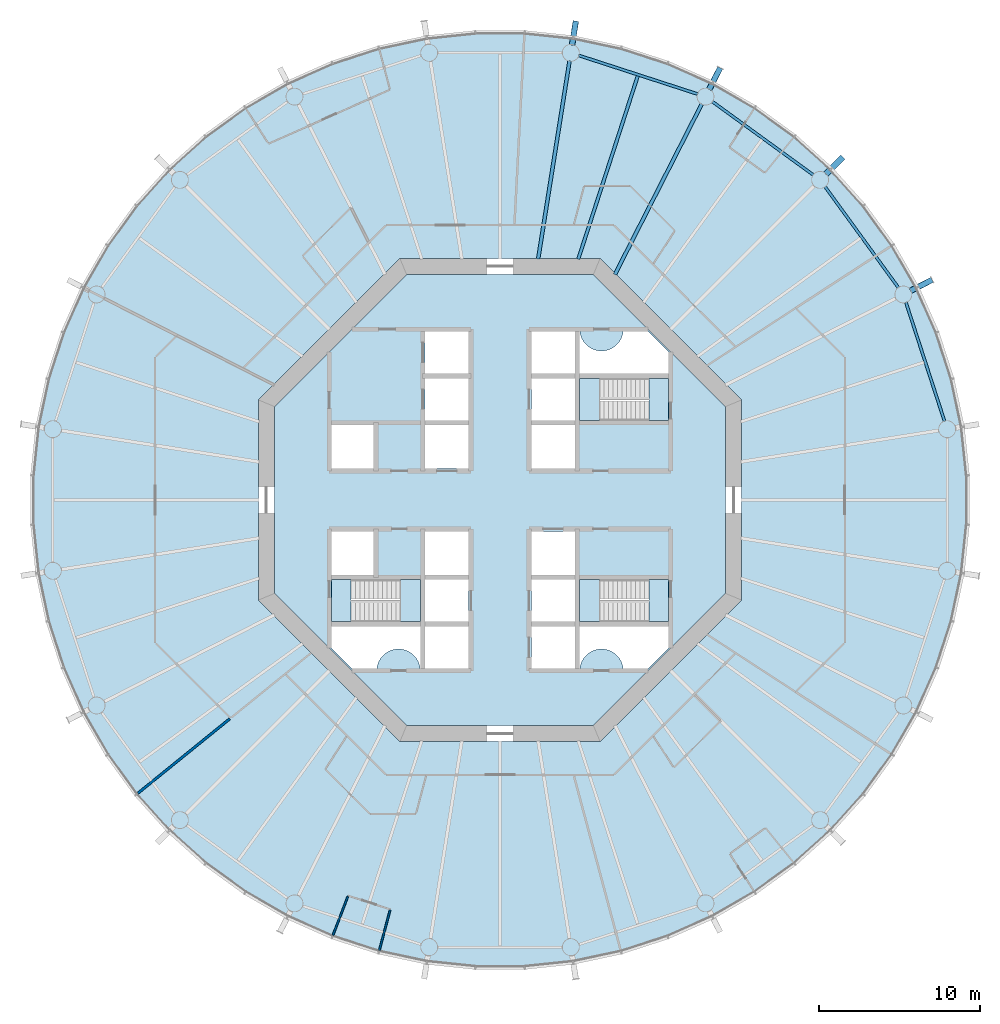
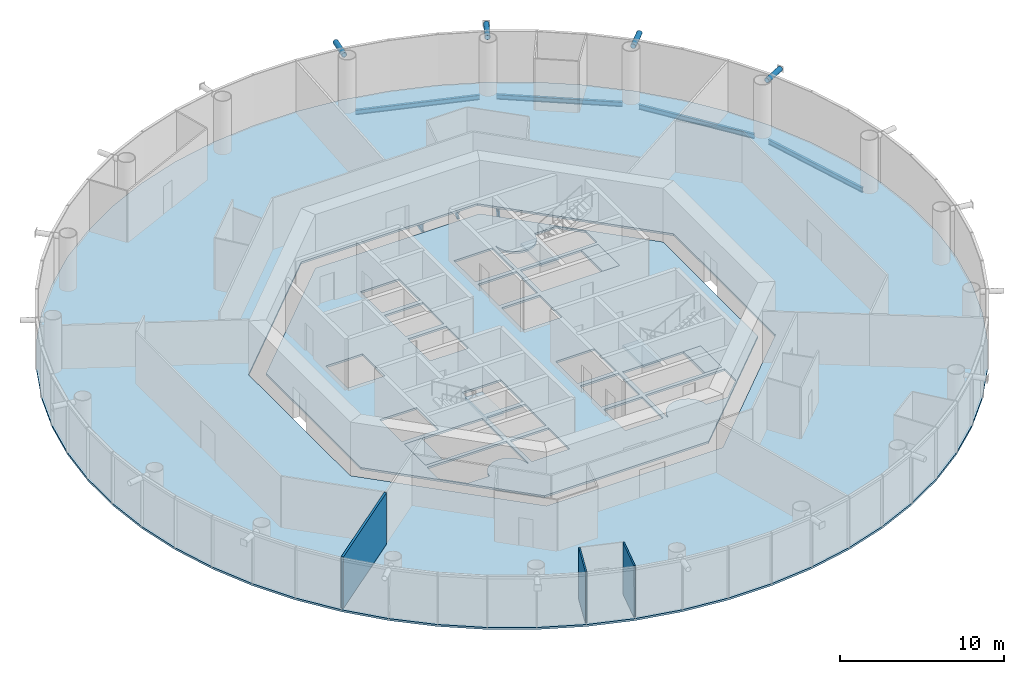
# One storey, part 2 of 17: 8 slabs, 7 beams, 4 members, 3 walls, 3 elements without a shape of their own.
"""IFC4 building model written with IfcOpenShell, lengths in metres."""

from ifc_helpers import new_model, si_unit, direction, frame, frame_2d, origin, origin_2d, place, context, subcontext, project, spatial, polyline, rectangle, circle, hollow_circle, i_section, outline, extrude, material, layer, layer_set, material_profile, profile_set, type_object, element, aggregate, save


model = new_model("IFC4")

# Units and contexts
model_context = context("Model", 3, precision=1e-05, world=origin(), true_north=direction((0.0, 1.0)))
body_context = subcontext(model_context, "Body", "Model", "MODEL_VIEW")
ifc_project = project(units=[si_unit("LENGTHUNIT", "METRE"), si_unit("AREAUNIT", "SQUARE_METRE"), si_unit("VOLUMEUNIT", "CUBIC_METRE"), si_unit("PLANEANGLEUNIT", "RADIAN"), si_unit("MASSUNIT", "GRAM", prefix="KILO")], contexts=[model_context])

# Site, building, storey
site_placement = place(None, origin())
site = spatial("IfcSite", under=ifc_project, at=site_placement, CompositionType="ELEMENT")
building_placement = place(site_placement, origin())
building = spatial("IfcBuilding", under=site, at=building_placement, Name="Entoto Ring Tower", CompositionType="ELEMENT")
storey_placement = place(building_placement, frame((0.0, 0.0, 176.0)))
storey = spatial("IfcBuildingStorey", under=building, at=storey_placement, Name="L40", CompositionType="ELEMENT", Elevation=176.0)

# Members
ifc_material_1 = material(Name="Steel S355", Category="steel")
ifc_material_profile_1 = material_profile(ifc_material_1, hollow_circle(Radius=0.177734375, WallThickness=0.01611328125, at=origin_2d()), Name="CHS 355.6 x 16")
ifc_material_2 = material(Name="Concrete C60/75", Category="concrete")
ifc_material_profile_2 = material_profile(ifc_material_2, circle(Radius=0.161865234375, at=origin_2d()), Name="Concrete C60/75 infill")
ifc_profile_set_1 = profile_set([ifc_material_profile_1, ifc_material_profile_2], Name="Steel S355")
member_type = type_object("IfcMemberType", Name="Diagrid node strut 355.6 x 16", PredefinedType="STRUT", material=ifc_profile_set_1)
for number, where, z_axis, x_axis, name in (
    (1, (115.483154296875, 92.984375, 3.672119140625), (0.891048193901, 0.453908709044, 0.0), (-0.453908709044, 0.891048193901, 0.0), "DS1 strut ring 12 02"),
    (2, (110.2236328125, 100.2236328125, 3.672119140625), (0.707106781187, 0.707106781187, 0.0), (-0.707106781187, 0.707106781187, 0.0), "DS1 strut ring 12 03"),
    (3, (102.984375, 105.483154296875, 3.672119140625), (0.453908709044, 0.891048193901, 0.0), (-0.891048193901, 0.453908709044, 0.0), "DS1 strut ring 12 04"),
):
    element("IfcMember", number, at=place(storey_placement, frame(where, z_axis=z_axis, x_axis=x_axis)), inside=storey, type_object=member_type, Name=name, PredefinedType="STRUT", context=body_context, shape_type="SweptSolid", body=[
        extrude(hollow_circle(Radius=0.177734375, WallThickness=0.01611328125, at=origin_2d()), origin(), (0.0, 0.0, 1.0), 1.49951171875),
    ])
member_placement = place(storey_placement, frame((94.47412109375, 108.248291015625, 3.672119140625), z_axis=(0.15644742422, 0.987686287976, 0.0), x_axis=(-0.987686287976, 0.15644742422, 0.0)))
element("IfcMember", 4, at=member_placement, inside=storey, type_object=member_type, Name="DS1 strut ring 12 05", PredefinedType="STRUT", context=body_context, shape_type="SweptSolid", body=[
    extrude(hollow_circle(Radius=0.177734375, WallThickness=0.01611328125, at=origin_2d()), origin(), (0.0, 0.0, 1.0), 1.499755859375),
])

# Beams
ifc_material_3 = material(Name="Steel S355", Category="steel")
ifc_material_profile_3 = material_profile(ifc_material_3, i_section(OverallWidth=0.169921875, OverallDepth=0.360107421875, WebThickness=0.008056640625, FlangeThickness=0.0126953125, FilletRadius=0.01806640625, at=origin_2d()), Name="IPE 360")
ifc_profile_set_2 = profile_set([ifc_material_profile_3], Name="Steel S355")
beam_type_1 = type_object("IfcBeamType", Name="Edge beam IPE 360", PredefinedType="SPANDREL", material=ifc_profile_set_2)
for number, where, z_axis, x_axis, name in (
    (5, (117.59228515625, 84.8935546875, -0.330078125), (-0.309012656105, 0.951057925874, 0.0), (-0.951057925874, -0.309012656105, 0.0), "Edge beam L40 01"),
    (6, (114.729736328125, 93.180419921875, -0.330078125), (-0.587791153253, 0.809012707043, 0.0), (-0.809012707043, -0.587791153253, 0.0), "Edge beam L40 02"),
    (7, (109.4462890625, 100.17724609375, -0.330078125), (-0.809012707043, 0.587791153253, 0.0), (-0.587791153253, -0.809012707043, 0.0), "Edge beam L40 03"),
    (8, (102.259521484375, 105.198974609375, -0.330078125), (-0.951057925874, 0.309012656105, 0.0), (-0.309012656105, -0.951057925874, 0.0), "Edge beam L40 04"),
):
    element("IfcBeam", number, at=place(storey_placement, frame(where, z_axis=z_axis, x_axis=x_axis)), inside=storey, type_object=beam_type_1, Name=name, PredefinedType="SPANDREL", context=body_context, shape_type="SweptSolid", body=[
        extrude(i_section(OverallWidth=0.169921875, OverallDepth=0.360107421875, WebThickness=0.008056640625, FlangeThickness=0.0126953125, FilletRadius=0.01806640625, at=origin_2d()), origin(), (0.0, 0.0, 1.0), 7.7451171875),
    ])
ifc_material_4 = material(Name="Steel S355", Category="steel")
ifc_material_profile_4 = material_profile(ifc_material_4, i_section(OverallWidth=0.219970703125, OverallDepth=0.60009765625, WebThickness=0.011962890625, FlangeThickness=0.01904296875, FilletRadius=0.02392578125, at=origin_2d()), Name="IPE 600")
ifc_profile_set_3 = profile_set([ifc_material_profile_4], Name="Steel S355")
beam_type_2 = type_object("IfcBeamType", Name="Primary floor beam IPE 600", PredefinedType="BEAM", material=ifc_profile_set_3)
beam_1_placement = place(storey_placement, frame((97.135009765625, 94.003173828125, -0.449951171875), z_axis=(0.453982805399, 0.891010444609, 0.0), x_axis=(-0.891010444609, 0.453982805399, 0.0)))
element("IfcBeam", 9, at=beam_1_placement, inside=storey, type_object=beam_type_2, Name="Primary L40 R04", PredefinedType="BEAM", context=body_context, shape_type="SweptSolid", body=[
    extrude(i_section(OverallWidth=0.219970703125, OverallDepth=0.60009765625, WebThickness=0.011962890625, FlangeThickness=0.01904296875, FilletRadius=0.02392578125, at=origin_2d()), origin(), (0.0, 0.0, 1.0), 11.864990234375),
])
beam_2_placement = place(storey_placement, frame((92.369873046875, 94.963134765625, -0.449951171875), z_axis=(0.156441579247, 0.987687213789, 0.0), x_axis=(-0.987687213789, 0.156441579247, 0.0)))
element("IfcBeam", 10, at=beam_2_placement, inside=storey, type_object=beam_type_2, Name="Primary L40 R05", PredefinedType="BEAM", context=body_context, shape_type="SweptSolid", body=[
    extrude(i_section(OverallWidth=0.219970703125, OverallDepth=0.60009765625, WebThickness=0.011962890625, FlangeThickness=0.01904296875, FilletRadius=0.02392578125, at=origin_2d()), origin(), (0.0, 0.0, 1.0), 12.431640625),
])
ifc_material_5 = material(Name="Steel S355", Category="steel")
ifc_material_profile_5 = material_profile(ifc_material_5, i_section(OverallWidth=0.199951171875, OverallDepth=0.5, WebThickness=0.01025390625, FlangeThickness=0.01611328125, FilletRadius=0.02099609375, at=origin_2d()), Name="IPE 500")
ifc_profile_set_4 = profile_set([ifc_material_profile_5], Name="Steel S355")
beam_type_3 = type_object("IfcBeamType", Name="Secondary floor beam IPE 500", PredefinedType="JOIST", material=ifc_profile_set_4)
beam_3_placement = place(storey_placement, frame((94.857666015625, 94.9501953125, -0.39990234375), z_axis=(0.30901677521, 0.951056587506, 0.0), x_axis=(-0.951056587506, 0.30901677521, 0.0)))
element("IfcBeam", 11, at=beam_3_placement, inside=storey, type_object=beam_type_3, Name="Secondary beam L40 04", PredefinedType="JOIST", context=body_context, shape_type="SweptSolid", body=[
    extrude(i_section(OverallWidth=0.199951171875, OverallDepth=0.5, WebThickness=0.01025390625, FlangeThickness=0.01611328125, FilletRadius=0.02099609375, at=origin_2d()), origin(), (0.0, 0.0, 1.0), 11.94970703125),
])

# Slabs
ifc_material_6 = material(Name="Concrete C30/37", Category="concrete")
ifc_layer_1 = layer(ifc_material_6, 0.14990234375)
ifc_layer_set_1 = layer_set([ifc_layer_1], Name="Concrete C30/37")
slab_type_1 = type_object("IfcSlabType", Name="Composite floor slab 150 mm", PredefinedType="FLOOR", material=ifc_layer_set_1)
slab_1_placement = place(storey_placement, frame((0.0, 0.0, -0.14990234375)))
element("IfcSlab", 12, at=slab_1_placement, inside=storey, type_object=slab_type_1, Name="Floor slab L40", PredefinedType="FLOOR", context=body_context, shape_type="SweptSolid", body=[
    extrude(outline(polyline([(118.74169921875, 84.55224609375), (118.1083984375, 87.53173828125), (117.167236328125, 90.428466796875), (115.92822265625, 93.211181640625), (114.4052734375, 95.848876953125), (112.614990234375, 98.313232421875), (110.576904296875, 100.576904296875), (108.313232421875, 102.614990234375), (105.848876953125, 104.4052734375), (103.211181640625, 105.92822265625), (100.428466796875, 107.167236328125), (97.53173828125, 108.1083984375), (94.55224609375, 108.74169921875), (91.52294921875, 109.06005859375), (88.47705078125, 109.06005859375), (85.44775390625, 108.74169921875), (82.46826171875, 108.1083984375), (79.571533203125, 107.167236328125), (76.788818359375, 105.92822265625), (74.151123046875, 104.4052734375), (71.686767578125, 102.614990234375), (69.423095703125, 100.576904296875), (67.385009765625, 98.313232421875), (65.5947265625, 95.848876953125), (64.07177734375, 93.211181640625), (62.832763671875, 90.428466796875), (61.8916015625, 87.53173828125), (61.25830078125, 84.55224609375), (60.93994140625, 81.52294921875), (60.93994140625, 78.47705078125), (61.25830078125, 75.44775390625), (61.8916015625, 72.46826171875), (62.832763671875, 69.571533203125), (64.07177734375, 66.788818359375), (65.5947265625, 64.151123046875), (67.385009765625, 61.686767578125), (69.423095703125, 59.423095703125), (71.686767578125, 57.385009765625), (74.151123046875, 55.5947265625), (76.788818359375, 54.07177734375), (79.571533203125, 52.832763671875), (82.46826171875, 51.8916015625), (85.44775390625, 51.25830078125), (88.47705078125, 50.93994140625), (91.52294921875, 50.93994140625), (94.55224609375, 51.25830078125), (97.53173828125, 51.8916015625), (100.428466796875, 52.832763671875), (103.211181640625, 54.07177734375), (105.848876953125, 55.5947265625), (108.313232421875, 57.385009765625), (110.576904296875, 59.423095703125), (112.614990234375, 61.686767578125), (114.4052734375, 64.151123046875), (115.92822265625, 66.788818359375), (117.167236328125, 69.571533203125), (118.1083984375, 72.46826171875), (118.74169921875, 75.44775390625), (119.06005859375, 78.47705078125), (119.06005859375, 81.52294921875), (118.74169921875, 84.55224609375)]), holes=[polyline([(105.0, 73.786865234375), (105.0, 86.213134765625), (96.213134765625, 95.0), (83.786865234375, 95.0), (75.0, 86.213134765625), (75.0, 73.786865234375), (83.786865234375, 65.0), (96.213134765625, 65.0), (105.0, 73.786865234375)])]), origin(), (0.0, 0.0, 1.0), 0.14990234375),
])
ifc_material_7 = material(Name="Concrete C40/50", Category="concrete")
ifc_layer_2 = layer(ifc_material_7, 0.14990234375)
ifc_layer_set_2 = layer_set([ifc_layer_2], Name="Concrete C40/50")
slab_type_2 = type_object("IfcSlabType", Name="Core floor slab 150 mm reinforced concrete C40/50", PredefinedType="FLOOR", material=ifc_layer_set_2)
slab_2_placement = place(storey_placement, frame((0.0, 0.0, -0.14990234375)))
element("IfcSlab", 13, at=slab_2_placement, inside=storey, type_object=slab_type_2, Name="Core floor L40", PredefinedType="FLOOR", context=body_context, shape_type="SweptSolid", body=[
    extrude(outline(polyline([(104.0, 74.200927734375), (104.0, 85.799072265625), (95.799072265625, 94.0), (84.200927734375, 94.0), (76.0, 85.799072265625), (76.0, 74.200927734375), (84.200927734375, 66.0), (95.799072265625, 66.0), (104.0, 74.200927734375)]), holes=[polyline([(100.449951171875, 84.949951171875), (100.449951171875, 87.550048828125), (94.949951171875, 87.550048828125), (94.949951171875, 84.949951171875), (100.449951171875, 84.949951171875)]), polyline([(85.050048828125, 72.449951171875), (85.050048828125, 75.050048828125), (79.550048828125, 75.050048828125), (79.550048828125, 72.449951171875), (85.050048828125, 72.449951171875)]), polyline([(100.449951171875, 72.449951171875), (100.449951171875, 75.050048828125), (94.949951171875, 75.050048828125), (94.949951171875, 72.449951171875), (100.449951171875, 72.449951171875)]), polyline([(91.949951171875, 84.949951171875), (94.64990234375, 84.949951171875), (94.64990234375, 87.550048828125), (91.949951171875, 87.550048828125), (91.949951171875, 84.949951171875)]), polyline([(91.949951171875, 72.449951171875), (94.64990234375, 72.449951171875), (94.64990234375, 75.050048828125), (91.949951171875, 75.050048828125), (91.949951171875, 72.449951171875)]), polyline([(91.949951171875, 69.550048828125), (94.64990234375, 69.550048828125), (94.64990234375, 72.14990234375), (91.949951171875, 72.14990234375), (91.949951171875, 69.550048828125)]), polyline([(85.35009765625, 72.449951171875), (88.050048828125, 72.449951171875), (88.050048828125, 75.050048828125), (85.35009765625, 75.050048828125), (85.35009765625, 72.449951171875)]), polyline([(85.35009765625, 81.949951171875), (88.050048828125, 81.949951171875), (88.050048828125, 84.64990234375), (85.35009765625, 84.64990234375), (85.35009765625, 81.949951171875)]), polyline([(91.949951171875, 75.35009765625), (94.64990234375, 75.35009765625), (94.64990234375, 78.050048828125), (91.949951171875, 78.050048828125), (91.949951171875, 75.35009765625)]), polyline([(79.550048828125, 81.949951171875), (82.14990234375, 81.949951171875), (82.14990234375, 84.64990234375), (79.550048828125, 84.64990234375), (79.550048828125, 81.949951171875)]), polyline([(79.550048828125, 75.35009765625), (82.14990234375, 75.35009765625), (82.14990234375, 78.050048828125), (79.550048828125, 78.050048828125), (79.550048828125, 75.35009765625)]), polyline([(91.949951171875, 87.85009765625), (94.64990234375, 87.85009765625), (94.64990234375, 90.449951171875), (91.949951171875, 90.449951171875), (91.949951171875, 87.85009765625)]), polyline([(85.35009765625, 69.550048828125), (88.050048828125, 69.550048828125), (88.050048828125, 72.14990234375), (85.35009765625, 72.14990234375), (85.35009765625, 69.550048828125)]), polyline([(91.949951171875, 81.949951171875), (94.64990234375, 81.949951171875), (94.64990234375, 84.64990234375), (91.949951171875, 84.64990234375), (91.949951171875, 81.949951171875)]), polyline([(85.35009765625, 75.35009765625), (88.050048828125, 75.35009765625), (88.050048828125, 78.050048828125), (85.35009765625, 78.050048828125), (85.35009765625, 75.35009765625)]), polyline([(85.35009765625, 84.949951171875), (88.050048828125, 84.949951171875), (88.050048828125, 87.550048828125), (85.35009765625, 87.550048828125), (85.35009765625, 84.949951171875)]), polyline([(85.35009765625, 87.85009765625), (88.050048828125, 87.85009765625), (88.050048828125, 90.449951171875), (85.35009765625, 90.449951171875), (85.35009765625, 87.85009765625)]), polyline([(94.89990234375, 90.5), (94.89990234375, 87.800048828125), (100.5, 87.800048828125), (100.5, 89.15771484375), (99.15771484375, 90.5), (97.64501953125, 90.5), (97.6435546875, 90.4677734375), (97.6240234375, 90.336669921875), (97.591796875, 90.2080078125), (97.547119140625, 90.08349609375), (97.490478515625, 89.963623046875), (97.422607421875, 89.85009765625), (97.343505859375, 89.74365234375), (97.254638671875, 89.6455078125), (97.156494140625, 89.556396484375), (97.050048828125, 89.4775390625), (96.936279296875, 89.409423828125), (96.816650390625, 89.352783203125), (96.69189453125, 89.30810546875), (96.5634765625, 89.27587890625), (96.432373046875, 89.256591796875), (96.300048828125, 89.25), (96.167724609375, 89.256591796875), (96.03662109375, 89.27587890625), (95.908203125, 89.30810546875), (95.783447265625, 89.352783203125), (95.66357421875, 89.409423828125), (95.550048828125, 89.4775390625), (95.443603515625, 89.556396484375), (95.345458984375, 89.6455078125), (95.25634765625, 89.74365234375), (95.177490234375, 89.85009765625), (95.109375, 89.963623046875), (95.052734375, 90.08349609375), (95.008056640625, 90.2080078125), (94.975830078125, 90.336669921875), (94.95654296875, 90.4677734375), (94.954833984375, 90.5), (94.89990234375, 90.5)]), polyline([(79.5, 70.84228515625), (80.84228515625, 69.5), (82.35498046875, 69.5), (82.3564453125, 69.5322265625), (82.3759765625, 69.663330078125), (82.408203125, 69.7919921875), (82.452880859375, 69.91650390625), (82.509521484375, 70.036376953125), (82.577392578125, 70.14990234375), (82.656494140625, 70.25634765625), (82.745361328125, 70.3544921875), (82.843505859375, 70.443603515625), (82.949951171875, 70.5224609375), (83.063720703125, 70.590576171875), (83.183349609375, 70.647216796875), (83.30810546875, 70.69189453125), (83.4365234375, 70.72412109375), (83.567626953125, 70.743408203125), (83.699951171875, 70.75), (83.832275390625, 70.743408203125), (83.96337890625, 70.72412109375), (84.091796875, 70.69189453125), (84.216552734375, 70.647216796875), (84.33642578125, 70.590576171875), (84.449951171875, 70.5224609375), (84.556396484375, 70.443603515625), (84.654541015625, 70.3544921875), (84.74365234375, 70.25634765625), (84.822509765625, 70.14990234375), (84.890625, 70.036376953125), (84.947265625, 69.91650390625), (84.991943359375, 69.7919921875), (85.024169921875, 69.663330078125), (85.04345703125, 69.5322265625), (85.045166015625, 69.5), (85.10009765625, 69.5), (85.10009765625, 72.199951171875), (79.5, 72.199951171875), (79.5, 70.84228515625)]), polyline([(97.64501953125, 69.5), (99.15771484375, 69.5), (100.5, 70.84228515625), (100.5, 72.199951171875), (94.89990234375, 72.199951171875), (94.89990234375, 69.5), (94.954833984375, 69.5), (94.95654296875, 69.5322265625), (94.975830078125, 69.663330078125), (95.008056640625, 69.7919921875), (95.052734375, 69.91650390625), (95.109375, 70.036376953125), (95.177490234375, 70.14990234375), (95.25634765625, 70.25634765625), (95.345458984375, 70.3544921875), (95.443603515625, 70.443603515625), (95.550048828125, 70.5224609375), (95.66357421875, 70.590576171875), (95.783447265625, 70.647216796875), (95.908203125, 70.69189453125), (96.03662109375, 70.72412109375), (96.167724609375, 70.743408203125), (96.300048828125, 70.75), (96.432373046875, 70.743408203125), (96.5634765625, 70.72412109375), (96.69189453125, 70.69189453125), (96.816650390625, 70.647216796875), (96.936279296875, 70.590576171875), (97.050048828125, 70.5224609375), (97.156494140625, 70.443603515625), (97.254638671875, 70.3544921875), (97.343505859375, 70.25634765625), (97.422607421875, 70.14990234375), (97.490478515625, 70.036376953125), (97.547119140625, 69.91650390625), (97.591796875, 69.7919921875), (97.6240234375, 69.663330078125), (97.6435546875, 69.5322265625), (97.64501953125, 69.5)])]), origin(), (0.0, 0.0, 1.0), 0.14990234375),
])

# Stair, slabs
ifc_material_8 = material(Name="Concrete C40/50", Category="concrete")
stair_type = type_object("IfcStairType", Name="Exit stair 1200 mm dog-leg reinforced concrete", PredefinedType="HALF_TURN_STAIR", material=ifc_material_8)
stair_1_placement = place(storey_placement, origin())
stair_1 = element("IfcStair", 14, at=stair_1_placement, inside=storey, type_object=stair_type, Name="Exit stair 1", PredefinedType="HALF_TURN_STAIR")
ifc_material_9 = material(Name="Concrete C40/50", Category="concrete")
ifc_layer_3 = layer(ifc_material_9, 0.199951171875)
ifc_layer_set_3 = layer_set([ifc_layer_3], Name="Concrete C40/50")
slab_type_3 = type_object("IfcSlabType", Name="Stair landing 200 mm reinforced concrete", PredefinedType="LANDING", material=ifc_layer_set_3)
slab_3_placement = place(storey_placement, frame((0.0, 0.0, -0.199951171875)))
slab_3 = element("IfcSlab", 15, at=slab_3_placement, type_object=slab_type_3, Name="ST1 landing 1", PredefinedType="LANDING", context=body_context, shape_type="SweptSolid", body=[
    extrude(outline(polyline([(100.449951171875, 84.949951171875), (100.449951171875, 87.550048828125), (99.25, 87.550048828125), (99.25, 84.949951171875), (100.449951171875, 84.949951171875)])), origin(), (0.0, 0.0, 1.0), 0.199951171875),
])
slab_4_placement = place(storey_placement, frame((0.0, 0.0, 1.800048828125)))
slab_4 = element("IfcSlab", 16, at=slab_4_placement, type_object=slab_type_3, Name="ST1 landing 2", PredefinedType="LANDING", context=body_context, shape_type="SweptSolid", body=[
    extrude(outline(polyline([(94.949951171875, 84.949951171875), (96.169921875, 84.949951171875), (96.169921875, 87.550048828125), (94.949951171875, 87.550048828125), (94.949951171875, 84.949951171875)])), origin(), (0.0, 0.0, 1.0), 0.199951171875),
])
aggregate(stair_1, [slab_3, slab_4])

stair_2_placement = place(storey_placement, origin())
stair_2 = element("IfcStair", 17, at=stair_2_placement, inside=storey, type_object=stair_type, Name="Exit stair 2", PredefinedType="HALF_TURN_STAIR")
slab_5_placement = place(storey_placement, frame((0.0, 0.0, -0.199951171875)))
slab_5 = element("IfcSlab", 18, at=slab_5_placement, type_object=slab_type_3, Name="ST2 landing 1", PredefinedType="LANDING", context=body_context, shape_type="SweptSolid", body=[
    extrude(outline(polyline([(80.75, 72.449951171875), (80.75, 75.050048828125), (79.550048828125, 75.050048828125), (79.550048828125, 72.449951171875), (80.75, 72.449951171875)])), origin(), (0.0, 0.0, 1.0), 0.199951171875),
])
slab_6_placement = place(storey_placement, frame((0.0, 0.0, 1.800048828125)))
slab_6 = element("IfcSlab", 19, at=slab_6_placement, type_object=slab_type_3, Name="ST2 landing 2", PredefinedType="LANDING", context=body_context, shape_type="SweptSolid", body=[
    extrude(outline(polyline([(83.830078125, 72.449951171875), (85.050048828125, 72.449951171875), (85.050048828125, 75.050048828125), (83.830078125, 75.050048828125), (83.830078125, 72.449951171875)])), origin(), (0.0, 0.0, 1.0), 0.199951171875),
])
aggregate(stair_2, [slab_5, slab_6])

stair_3_placement = place(storey_placement, origin())
stair_3 = element("IfcStair", 20, at=stair_3_placement, inside=storey, type_object=stair_type, Name="Exit stair 3", PredefinedType="HALF_TURN_STAIR")
slab_7_placement = place(storey_placement, frame((0.0, 0.0, -0.199951171875)))
slab_7 = element("IfcSlab", 21, at=slab_7_placement, type_object=slab_type_3, Name="ST3 landing 1", PredefinedType="LANDING", context=body_context, shape_type="SweptSolid", body=[
    extrude(outline(polyline([(100.449951171875, 72.449951171875), (100.449951171875, 75.050048828125), (99.25, 75.050048828125), (99.25, 72.449951171875), (100.449951171875, 72.449951171875)])), origin(), (0.0, 0.0, 1.0), 0.199951171875),
])
slab_8_placement = place(storey_placement, frame((0.0, 0.0, 1.800048828125)))
slab_8 = element("IfcSlab", 22, at=slab_8_placement, type_object=slab_type_3, Name="ST3 landing 2", PredefinedType="LANDING", context=body_context, shape_type="SweptSolid", body=[
    extrude(outline(polyline([(94.949951171875, 72.449951171875), (96.169921875, 72.449951171875), (96.169921875, 75.050048828125), (94.949951171875, 75.050048828125), (94.949951171875, 72.449951171875)])), origin(), (0.0, 0.0, 1.0), 0.199951171875),
])
aggregate(stair_3, [slab_7, slab_8])

# Walls
ifc_material_10 = material(Name="Plasterboard on steel studs", Category="steel")
ifc_layer_4 = layer(ifc_material_10, 0.10009765625)
ifc_layer_set_4 = layer_set([ifc_layer_4], Name="Plasterboard on steel studs")
wall_type_1 = type_object("IfcWallType", Name="Partition 100 mm plasterboard on steel studs", PredefinedType="PARTITIONING", material=ifc_layer_set_4)
for number, where, z_axis, x_axis, name in (
    (23, (79.62890625, 52.982177734375, 0.0), (0.0, 0.0, 1.0), (0.358351242757, 0.933586839461, 0.0), "partition-L40-037"),
    (24, (82.509765625, 52.046142578125, 0.0), (0.0, 0.0, 1.0), (0.258799149182, 0.965931157165, 0.0), "partition-L40-038"),
):
    element("IfcWall", number, at=place(storey_placement, frame(where, z_axis=z_axis, x_axis=x_axis)), inside=storey, type_object=wall_type_1, Name=name, PredefinedType="PARTITIONING", context=body_context, shape_type="SweptSolid", body=[
        extrude(rectangle(XDim=2.580078125, YDim=0.10009765625, at=frame_2d((1.2900390625, 0.0))), origin(), (0.0, 0.0, 1.0), 3.85009765625),
    ])
ifc_material_11 = material(Name="Fire-resisting acoustic plasterboard on steel studs", Category="steel")
ifc_layer_5 = layer(ifc_material_11, 0.14990234375)
ifc_layer_set_5 = layer_set([ifc_layer_5], Name="Fire-resisting acoustic plasterboard on steel studs")
wall_type_2 = type_object("IfcWallType", Name="Party wall 150 mm one-hour acoustic plasterboard on steel studs", PredefinedType="PARTITIONING", material=ifc_layer_set_5)
wall_placement = place(storey_placement, frame((67.509521484375, 61.78759765625, 0.0), z_axis=(0.0, 0.0, 1.0), x_axis=(0.777145090465, 0.629321466634, 0.0)))
element("IfcWall", 25, at=wall_placement, inside=storey, type_object=wall_type_2, Name="partition-L40-019", PredefinedType="PARTITIONING", context=body_context, shape_type="SweptSolid", body=[
    extrude(rectangle(XDim=7.35107421875, YDim=0.14990234375, at=frame_2d((3.675537109375, 0.0))), origin(), (0.0, 0.0, 1.0), 3.85009765625),
])

save(model, "model.ifc")
